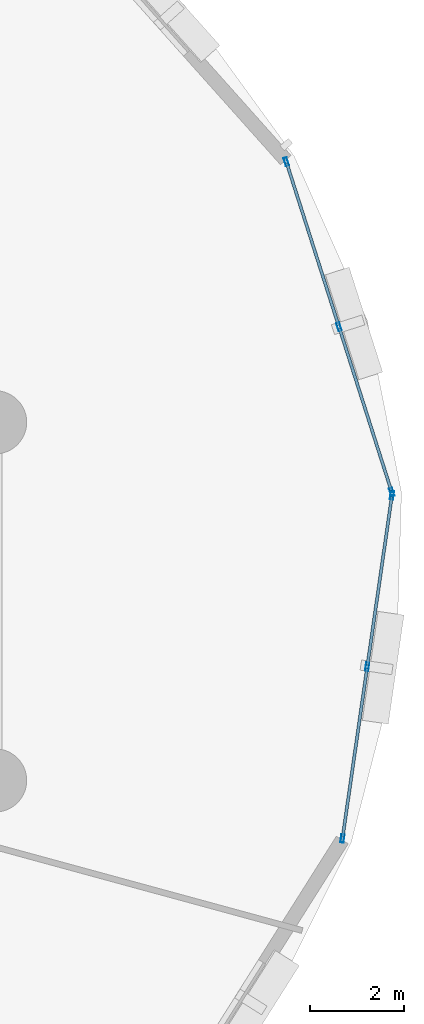
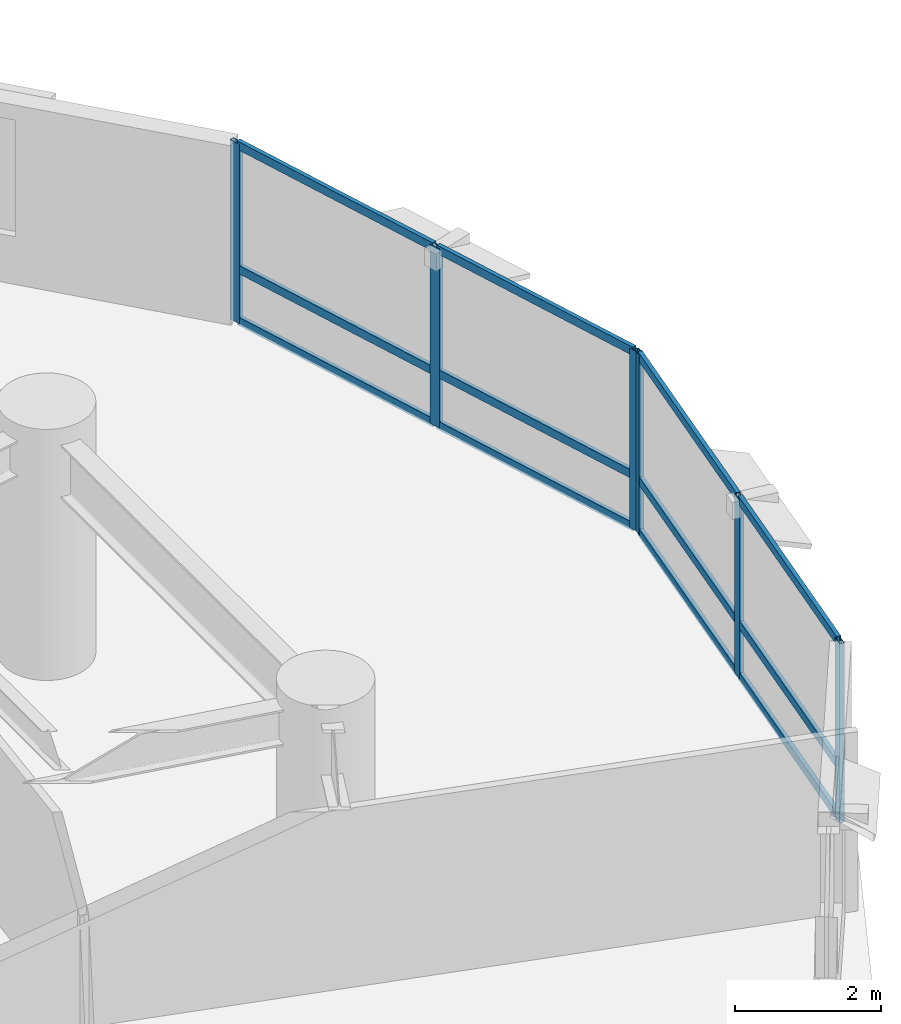
# One storey, part 8 of 16: 18 members, 2 elements without a shape of their own.
"""IFC4 building model written with IfcOpenShell, lengths in metres."""

from ifc_helpers import new_model, si_unit, direction, frame, origin, origin_2d, place, context, subcontext, project, spatial, hollow_rectangle, extrude, material, layer, layer_set, material_profile, profile_set, type_object, element, aggregate, save


model = new_model("IFC4")

# Units and contexts
model_context = context("Model", 3, precision=1e-05, world=origin(), true_north=direction((0.0, 1.0)))
body_context = subcontext(model_context, "Body", "Model", "MODEL_VIEW")
ifc_project = project(units=[si_unit("LENGTHUNIT", "METRE"), si_unit("AREAUNIT", "SQUARE_METRE"), si_unit("VOLUMEUNIT", "CUBIC_METRE"), si_unit("PLANEANGLEUNIT", "RADIAN"), si_unit("MASSUNIT", "GRAM", prefix="KILO"), si_unit("THERMODYNAMICTEMPERATUREUNIT", "KELVIN"), si_unit("POWERUNIT", "WATT")], contexts=[model_context])

# Site, building, storey
site_placement = place(None, origin())
site = spatial("IfcSite", under=ifc_project, at=site_placement, CompositionType="ELEMENT")
building_placement = place(site_placement, origin())
building = spatial("IfcBuilding", under=site, at=building_placement, Name="Ocrelia Relay Tower", CompositionType="ELEMENT")
storey_placement = place(building_placement, frame((0.0, 0.0, 51.0)))
storey = spatial("IfcBuildingStorey", under=building, at=storey_placement, Name="L11", CompositionType="ELEMENT", Elevation=51.0)

# Curtain wall, members
ifc_material_1 = material(Name="Aluminium and solar-control low-E glass", Category="aluminium")
ifc_layer = layer(ifc_material_1, 0.179931640625, Name="Aluminium and solar-control low-E glass")
ifc_layer_set = layer_set([ifc_layer], Name="Aluminium and solar-control low-E glass")
curtain_wall_type = type_object("IfcCurtainWallType", Name="CW-SYS-Z1-DATA", PredefinedType="NOTDEFINED", material=ifc_layer_set)
curtain_wall_1_placement = place(storey_placement, origin())
curtain_wall_1 = element("IfcCurtainWall", 1, at=curtain_wall_1_placement, inside=storey, type_object=curtain_wall_type, Name="L11 Elliptical Tower Curtain Wall Bay 01", PredefinedType="NOTDEFINED")
ifc_material_2 = material(Name="Anodised bronze aluminium", Category="aluminium")
ifc_material_profile_1 = material_profile(ifc_material_2, hollow_rectangle(XDim=0.070068359375, YDim=0.179931640625, WallThickness=0.006103515625, at=origin_2d()), Name="CW-MUL-180x70")
ifc_profile_set_1 = profile_set([ifc_material_profile_1], Name="Anodised bronze aluminium")
member_type_1 = type_object("IfcMemberType", Name="CW-SYS-Z1-DATA-MUL", PredefinedType="MULLION", material=ifc_profile_set_1)
member_1_placement = place(storey_placement, frame((61.69384765625, 28.33544921875, 0.0), z_axis=(0.0, 0.0, 1.0), x_axis=(-0.952608497363, -0.304199031476, 0.0)))
member_1 = element("IfcMember", 2, at=member_1_placement, type_object=member_type_1, Name="CW-Z1 mullion 1", PredefinedType="MULLION", context=body_context, shape_type="SweptSolid", body=[
    extrude(hollow_rectangle(XDim=0.070068359375, YDim=0.179931640625, WallThickness=0.006103515625, at=origin_2d()), origin(), (0.0, 0.0, 1.0), 3.0),
])
member_2_placement = place(storey_placement, frame((60.5673828125, 31.862548828125, 0.0), z_axis=(0.0, 0.0, 1.0), x_axis=(-0.952608497363, -0.304199031476, 0.0)))
member_2 = element("IfcMember", 3, at=member_2_placement, type_object=member_type_1, Name="CW-Z1 mullion 2", PredefinedType="MULLION", context=body_context, shape_type="SweptSolid", body=[
    extrude(hollow_rectangle(XDim=0.070068359375, YDim=0.179931640625, WallThickness=0.006103515625, at=origin_2d()), origin(), (0.0, 0.0, 1.0), 3.0),
])
member_3_placement = place(storey_placement, frame((59.441162109375, 35.389892578125, 0.0), z_axis=(0.0, 0.0, 1.0), x_axis=(-0.952608497363, -0.304199031476, 0.0)))
member_3 = element("IfcMember", 4, at=member_3_placement, type_object=member_type_1, Name="CW-Z1 mullion 3", PredefinedType="MULLION", context=body_context, shape_type="SweptSolid", body=[
    extrude(hollow_rectangle(XDim=0.070068359375, YDim=0.179931640625, WallThickness=0.006103515625, at=origin_2d()), origin(), (0.0, 0.0, 1.0), 3.0),
])

curtain_wall_2_placement = place(storey_placement, origin())
curtain_wall_2 = element("IfcCurtainWall", 5, at=curtain_wall_2_placement, inside=storey, type_object=curtain_wall_type, Name="L11 Elliptical Tower Curtain Wall Bay 18", PredefinedType="NOTDEFINED")
member_4_placement = place(storey_placement, frame((60.64208984375, 20.937744140625, 0.0), z_axis=(0.0, 0.0, 1.0), x_axis=(-0.989751624474, 0.14279958631, 0.0)))
member_4 = element("IfcMember", 6, at=member_4_placement, type_object=member_type_1, Name="CW-Z1 mullion 1", PredefinedType="MULLION", context=body_context, shape_type="SweptSolid", body=[
    extrude(hollow_rectangle(XDim=0.070068359375, YDim=0.179931640625, WallThickness=0.006103515625, at=origin_2d()), origin(), (0.0, 0.0, 1.0), 3.0),
])
member_5_placement = place(storey_placement, frame((61.170654296875, 24.6025390625, 0.0), z_axis=(0.0, 0.0, 1.0), x_axis=(-0.989751624474, 0.14279958631, 0.0)))
member_5 = element("IfcMember", 7, at=member_5_placement, type_object=member_type_1, Name="CW-Z1 mullion 2", PredefinedType="MULLION", context=body_context, shape_type="SweptSolid", body=[
    extrude(hollow_rectangle(XDim=0.070068359375, YDim=0.179931640625, WallThickness=0.006103515625, at=origin_2d()), origin(), (0.0, 0.0, 1.0), 3.0),
])
member_6_placement = place(storey_placement, frame((61.699462890625, 28.267578125, 0.0), z_axis=(0.0, 0.0, 1.0), x_axis=(-0.989751624474, 0.14279958631, 0.0)))
member_6 = element("IfcMember", 8, at=member_6_placement, type_object=member_type_1, Name="CW-Z1 mullion 3", PredefinedType="MULLION", context=body_context, shape_type="SweptSolid", body=[
    extrude(hollow_rectangle(XDim=0.070068359375, YDim=0.179931640625, WallThickness=0.006103515625, at=origin_2d()), origin(), (0.0, 0.0, 1.0), 3.0),
])

# Member
ifc_material_profile_2 = material_profile(ifc_material_2, hollow_rectangle(XDim=0.06494140625, YDim=0.139892578125, WallThickness=0.0048828125, at=origin_2d()), Name="CW-TRN-140x65")
ifc_profile_set_2 = profile_set([ifc_material_profile_2], Name="Anodised bronze aluminium")
member_type_2 = type_object("IfcMemberType", Name="CW-SYS-Z1-DATA-TRN", PredefinedType="USERDEFINED", material=ifc_profile_set_2)
member_7_placement = place(storey_placement, frame((61.68310546875, 28.368896484375, 0.032470703125), z_axis=(-0.30418552168, 0.952612811377, 0.0), x_axis=(-0.952612811377, -0.30418552168, 0.0)))
member_7 = element("IfcMember", 9, at=member_7_placement, type_object=member_type_2, Name="CW-Z1 transom 1.1", ObjectType="TRANSOM", PredefinedType="USERDEFINED", context=body_context, shape_type="SweptSolid", body=[
    extrude(hollow_rectangle(XDim=0.06494140625, YDim=0.139892578125, WallThickness=0.0048828125, at=origin_2d()), origin(), (0.0, 0.0, 1.0), 3.632568359375),
])

member_8_placement = place(storey_placement, frame((61.68310546875, 28.368896484375, 0.89990234375), z_axis=(-0.30418552168, 0.952612811377, 0.0), x_axis=(-0.952612811377, -0.30418552168, 0.0)))
member_8 = element("IfcMember", 10, at=member_8_placement, type_object=member_type_2, Name="CW-Z1 transom 1.2", ObjectType="TRANSOM", PredefinedType="USERDEFINED", context=body_context, shape_type="SweptSolid", body=[
    extrude(hollow_rectangle(XDim=0.06494140625, YDim=0.139892578125, WallThickness=0.0048828125, at=origin_2d()), origin(), (0.0, 0.0, 1.0), 3.632568359375),
])

member_9_placement = place(storey_placement, frame((61.68310546875, 28.368896484375, 2.967529296875), z_axis=(-0.30418552168, 0.952612811377, 0.0), x_axis=(-0.952612811377, -0.30418552168, 0.0)))
member_9 = element("IfcMember", 11, at=member_9_placement, type_object=member_type_2, Name="CW-Z1 transom 1.3", ObjectType="TRANSOM", PredefinedType="USERDEFINED", context=body_context, shape_type="SweptSolid", body=[
    extrude(hollow_rectangle(XDim=0.06494140625, YDim=0.139892578125, WallThickness=0.0048828125, at=origin_2d()), origin(), (0.0, 0.0, 1.0), 3.632568359375),
])

member_10_placement = place(storey_placement, frame((60.556884765625, 31.89599609375, 0.032470703125), z_axis=(-0.30418552168, 0.952612811377, 0.0), x_axis=(-0.952612811377, -0.30418552168, 0.0)))
member_10 = element("IfcMember", 12, at=member_10_placement, type_object=member_type_2, Name="CW-Z1 transom 2.1", ObjectType="TRANSOM", PredefinedType="USERDEFINED", context=body_context, shape_type="SweptSolid", body=[
    extrude(hollow_rectangle(XDim=0.06494140625, YDim=0.139892578125, WallThickness=0.0048828125, at=origin_2d()), origin(), (0.0, 0.0, 1.0), 3.632568359375),
])

member_11_placement = place(storey_placement, frame((60.556884765625, 31.89599609375, 0.89990234375), z_axis=(-0.30418552168, 0.952612811377, 0.0), x_axis=(-0.952612811377, -0.30418552168, 0.0)))
member_11 = element("IfcMember", 13, at=member_11_placement, type_object=member_type_2, Name="CW-Z1 transom 2.2", ObjectType="TRANSOM", PredefinedType="USERDEFINED", context=body_context, shape_type="SweptSolid", body=[
    extrude(hollow_rectangle(XDim=0.06494140625, YDim=0.139892578125, WallThickness=0.0048828125, at=origin_2d()), origin(), (0.0, 0.0, 1.0), 3.632568359375),
])

member_12_placement = place(storey_placement, frame((60.556884765625, 31.89599609375, 2.967529296875), z_axis=(-0.30418552168, 0.952612811377, 0.0), x_axis=(-0.952612811377, -0.30418552168, 0.0)))
member_12 = element("IfcMember", 14, at=member_12_placement, type_object=member_type_2, Name="CW-Z1 transom 2.3", ObjectType="TRANSOM", PredefinedType="USERDEFINED", context=body_context, shape_type="SweptSolid", body=[
    extrude(hollow_rectangle(XDim=0.06494140625, YDim=0.139892578125, WallThickness=0.0048828125, at=origin_2d()), origin(), (0.0, 0.0, 1.0), 3.632568359375),
])

aggregate(curtain_wall_1, [member_1, member_2, member_3, member_7, member_8, member_9, member_10, member_11, member_12])

member_13_placement = place(storey_placement, frame((60.64697265625, 20.972412109375, 0.032470703125), z_axis=(0.142804235243, 0.989750953724, 0.0), x_axis=(-0.989750953724, 0.142804235243, 0.0)))
member_13 = element("IfcMember", 15, at=member_13_placement, type_object=member_type_2, Name="CW-Z1 transom 1.1", ObjectType="TRANSOM", PredefinedType="USERDEFINED", context=body_context, shape_type="SweptSolid", body=[
    extrude(hollow_rectangle(XDim=0.06494140625, YDim=0.139892578125, WallThickness=0.0048828125, at=origin_2d()), origin(), (0.0, 0.0, 1.0), 3.633056640625),
])

member_14_placement = place(storey_placement, frame((60.64697265625, 20.972412109375, 0.89990234375), z_axis=(0.142804235243, 0.989750953724, 0.0), x_axis=(-0.989750953724, 0.142804235243, 0.0)))
member_14 = element("IfcMember", 16, at=member_14_placement, type_object=member_type_2, Name="CW-Z1 transom 1.2", ObjectType="TRANSOM", PredefinedType="USERDEFINED", context=body_context, shape_type="SweptSolid", body=[
    extrude(hollow_rectangle(XDim=0.06494140625, YDim=0.139892578125, WallThickness=0.0048828125, at=origin_2d()), origin(), (0.0, 0.0, 1.0), 3.633056640625),
])

member_15_placement = place(storey_placement, frame((60.64697265625, 20.972412109375, 2.967529296875), z_axis=(0.142804235243, 0.989750953724, 0.0), x_axis=(-0.989750953724, 0.142804235243, 0.0)))
member_15 = element("IfcMember", 17, at=member_15_placement, type_object=member_type_2, Name="CW-Z1 transom 1.3", ObjectType="TRANSOM", PredefinedType="USERDEFINED", context=body_context, shape_type="SweptSolid", body=[
    extrude(hollow_rectangle(XDim=0.06494140625, YDim=0.139892578125, WallThickness=0.0048828125, at=origin_2d()), origin(), (0.0, 0.0, 1.0), 3.633056640625),
])

member_16_placement = place(storey_placement, frame((61.17578125, 24.63720703125, 0.032470703125), z_axis=(0.142804235243, 0.989750953724, 0.0), x_axis=(-0.989750953724, 0.142804235243, 0.0)))
member_16 = element("IfcMember", 18, at=member_16_placement, type_object=member_type_2, Name="CW-Z1 transom 2.1", ObjectType="TRANSOM", PredefinedType="USERDEFINED", context=body_context, shape_type="SweptSolid", body=[
    extrude(hollow_rectangle(XDim=0.06494140625, YDim=0.139892578125, WallThickness=0.0048828125, at=origin_2d()), origin(), (0.0, 0.0, 1.0), 3.633056640625),
])

member_17_placement = place(storey_placement, frame((61.17578125, 24.63720703125, 0.89990234375), z_axis=(0.142804235243, 0.989750953724, 0.0), x_axis=(-0.989750953724, 0.142804235243, 0.0)))
member_17 = element("IfcMember", 19, at=member_17_placement, type_object=member_type_2, Name="CW-Z1 transom 2.2", ObjectType="TRANSOM", PredefinedType="USERDEFINED", context=body_context, shape_type="SweptSolid", body=[
    extrude(hollow_rectangle(XDim=0.06494140625, YDim=0.139892578125, WallThickness=0.0048828125, at=origin_2d()), origin(), (0.0, 0.0, 1.0), 3.633056640625),
])

member_18_placement = place(storey_placement, frame((61.17578125, 24.63720703125, 2.967529296875), z_axis=(0.142804235243, 0.989750953724, 0.0), x_axis=(-0.989750953724, 0.142804235243, 0.0)))
member_18 = element("IfcMember", 20, at=member_18_placement, type_object=member_type_2, Name="CW-Z1 transom 2.3", ObjectType="TRANSOM", PredefinedType="USERDEFINED", context=body_context, shape_type="SweptSolid", body=[
    extrude(hollow_rectangle(XDim=0.06494140625, YDim=0.139892578125, WallThickness=0.0048828125, at=origin_2d()), origin(), (0.0, 0.0, 1.0), 3.633056640625),
])

aggregate(curtain_wall_2, [member_4, member_5, member_6, member_13, member_14, member_15, member_16, member_17, member_18])

save(model, "model.ifc")
